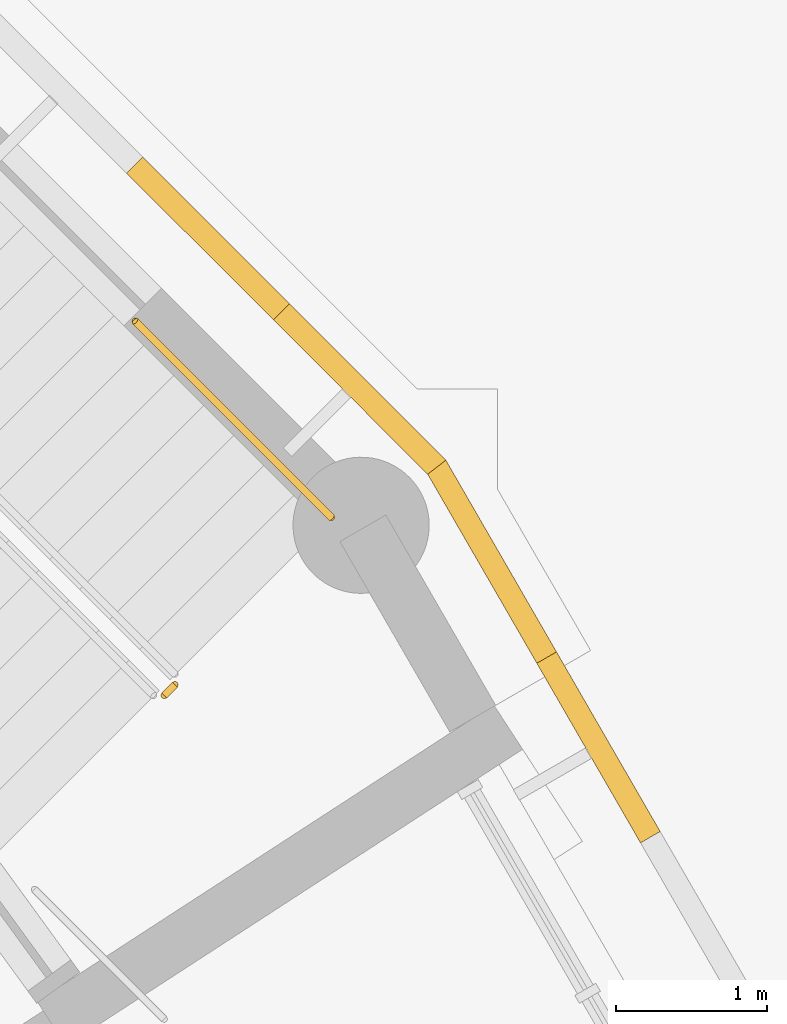
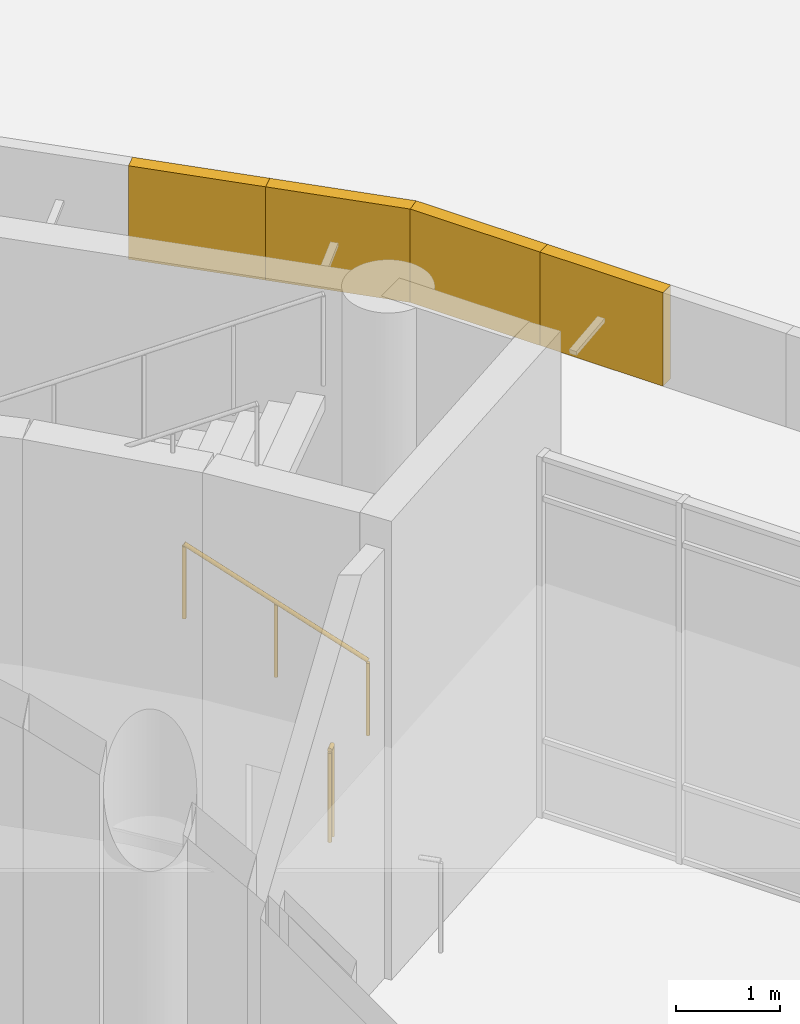
# One storey, part 124 of 146: 4 coverings, 2 railings.
"""IFC4 building model written with IfcOpenShell, lengths in metres."""

from ifc_helpers import new_model, si_unit, direction, frame, origin, origin_2d, place, context, subcontext, project, spatial, polyline, circle, outline, extrude, material, layer, layer_set, type_object, element, save


model = new_model("IFC4")

# Units and contexts
model_context = context("Model", 3, precision=1e-05, world=origin(), true_north=direction((0.0, 1.0)))
body_context = subcontext(model_context, "Body", "Model", "MODEL_VIEW")
ifc_project = project(units=[si_unit("LENGTHUNIT", "METRE"), si_unit("AREAUNIT", "SQUARE_METRE"), si_unit("VOLUMEUNIT", "CUBIC_METRE"), si_unit("PLANEANGLEUNIT", "RADIAN"), si_unit("MASSUNIT", "GRAM", prefix="KILO")], contexts=[model_context])

# Site, building, storey
site_placement = place(None, origin())
site = spatial("IfcSite", under=ifc_project, at=site_placement, CompositionType="ELEMENT")
building_placement = place(site_placement, origin())
building = spatial("IfcBuilding", under=site, at=building_placement, Name="Bougainvillea Quay General Hospital", CompositionType="ELEMENT")
storey_placement = place(building_placement, origin())
storey = spatial("IfcBuildingStorey", under=building, at=storey_placement, Name="L00", CompositionType="ELEMENT", Elevation=0.0)

# Coverings
ifc_material_1 = material(Name="Powder-coated aluminium fascia, white", Category="aluminium")
ifc_layer = layer(ifc_material_1, 0.14990234375)
ifc_layer_set = layer_set([ifc_layer], Name="Powder-coated aluminium fascia, white")
covering_type = type_object("IfcCoveringType", Name="Aluminium fascia band white 150x1100", PredefinedType="CLADDING", material=ifc_layer_set)
covering_1_placement = place(storey_placement, frame((127.706787109375, 84.68505859375, 4.85009765625), z_axis=(0.0, 0.0, 1.0), x_axis=(-0.499989712218, 0.866031343357, 0.0)))
element("IfcCovering", 1, at=covering_1_placement, inside=storey, type_object=covering_type, Name="Fascia band white e0 9", PredefinedType="CLADDING", context=body_context, shape_type="SweptSolid", body=[
    extrude(outline(polyline([(0.0, 0.0), (1.3706336703115394, 0.0), (1.3706036643327093, -0.14995740144450087), (-3.0005978829975022e-05, -0.14995740144450084), (0.0, 0.0)])), origin(), (0.0, 0.0, 1.0), 1.10009765625),
])
covering_2_placement = place(storey_placement, frame((127.021484375, 85.8720703125, 4.85009765625), z_axis=(0.0, 0.0, 1.0), x_axis=(-0.500015396624, 0.866016514357, 0.0)))
element("IfcCovering", 2, at=covering_2_placement, inside=storey, type_object=covering_type, Name="Fascia band white e0 10", PredefinedType="CLADDING", context=body_context, shape_type="SweptSolid", body=[
    extrude(outline(polyline([(0.0, 0.0), (1.4428266644293797, 0.0), (1.4626866906226388, -0.15016746703797101), (-3.44533927520152e-05, -0.1499574004886377), (0.0, 0.0)])), origin(), (0.0, 0.0, 1.0), 1.10009765625),
])
covering_3_placement = place(storey_placement, frame((126.300048828125, 87.12158203125, 4.85009765625), z_axis=(0.0, 0.0, 1.0), x_axis=(-0.707022163611, 0.707191388638, 0.0)))
element("IfcCovering", 3, at=covering_3_placement, inside=storey, type_object=covering_type, Name="Fascia band white e0 11", PredefinedType="CLADDING", context=body_context, shape_type="SweptSolid", body=[
    extrude(outline(polyline([(0.0, 0.0), (1.4426980987993736, 1.1102230246251565e-16), (1.4428886835284849, -0.15001848238266435), (-0.019662245993976327, -0.15019349146840363), (0.0, 0.0)])), origin(), (0.0, 0.0, 1.0), 1.10009765625),
])
covering_4_placement = place(storey_placement, frame((125.280029296875, 88.141845703125, 4.85009765625), z_axis=(0.0, 0.0, 1.0), x_axis=(-0.707195843064, 0.707017708091, 0.0)))
element("IfcCovering", 4, at=covering_4_placement, inside=storey, type_object=covering_type, Name="Fascia band white e0 12", PredefinedType="CLADDING", context=body_context, shape_type="SweptSolid", body=[
    extrude(outline(polyline([(0.0, 0.0), (1.3705372998959335, 0.0), (1.3705183817530422, -0.15019113641407222), (0.00015373709223164, -0.15001852466893292), (0.0, 0.0)])), origin(), (0.0, 0.0, 1.0), 1.10009765625),
])

# Railings
ifc_material_2 = material(Name="Stainless steel 304 balustrade", Category="steel")
railing_type_1 = type_object("IfcRailingType", Name="Stair guard 1100", PredefinedType="GUARDRAIL", material=ifc_material_2)
railing_1_placement = place(storey_placement, frame((124.62939453125, 85.72998046875, 0.0)))
element("IfcRailing", 5, at=railing_1_placement, inside=storey, type_object=railing_type_1, Name="L00 ST-H1 stair guard 6", PredefinedType="GUARDRAIL", context=body_context, shape_type="SweptSolid", body=[
    extrude(circle(Radius=0.02392578125, at=origin_2d()), frame((0.0, 0.0, 1.076171875), z_axis=(-0.707106781187, -0.707106781187, 0.0), x_axis=(0.707106781187, -0.707106781187, 0.0)), (0.0, 0.0, 1.0), 0.099853515625),
    extrude(circle(Radius=0.02099609375, at=origin_2d()), origin(), (0.0, 0.0, 1.0), 1.052001953125),
    extrude(circle(Radius=0.02099609375, at=origin_2d()), frame((-0.070556640625, -0.070556640625, 0.0)), (0.0, 0.0, 1.0), 1.052001953125),
])
ifc_material_3 = material(Name="Stainless steel 304 handrail", Category="steel")
railing_type_2 = type_object("IfcRailingType", Name="Stair handrail 900", PredefinedType="HANDRAIL", material=ifc_material_3)
railing_2_placement = place(storey_placement, frame((125.6640625, 86.835205078125, 0.158935546875)))
element("IfcRailing", 6, at=railing_2_placement, inside=storey, type_object=railing_type_2, Name="L00 ST-H1 stair handrail 1", PredefinedType="HANDRAIL", context=body_context, shape_type="SweptSolid", body=[
    extrude(circle(Radius=0.02392578125, at=origin_2d()), frame((0.0, 0.0, 0.8759765625), z_axis=(-0.615092537148, 0.615092537148, 0.493277144706), x_axis=(-0.707106781187, -0.707106781187, 0.0)), (0.0, 0.0, 1.0), 2.1103515625),
    extrude(circle(Radius=0.02099609375, at=origin_2d()), origin(), (0.0, 0.0, 1.0), 0.851806640625),
    extrude(circle(Radius=0.02099609375, at=origin_2d()), frame((-0.64892578125, 0.64892578125, 0.5205078125)), (0.0, 0.0, 1.0), 0.851806640625),
    extrude(circle(Radius=0.02099609375, at=origin_2d()), frame((-1.298095703125, 1.298095703125, 1.041015625)), (0.0, 0.0, 1.0), 0.851806640625),
])

save(model, "model.ifc")
